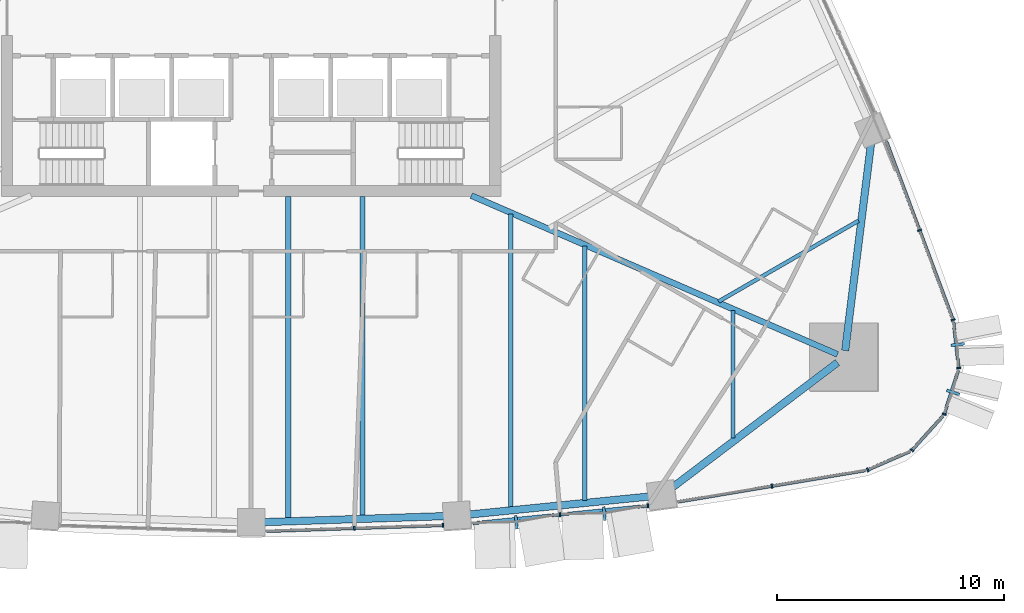
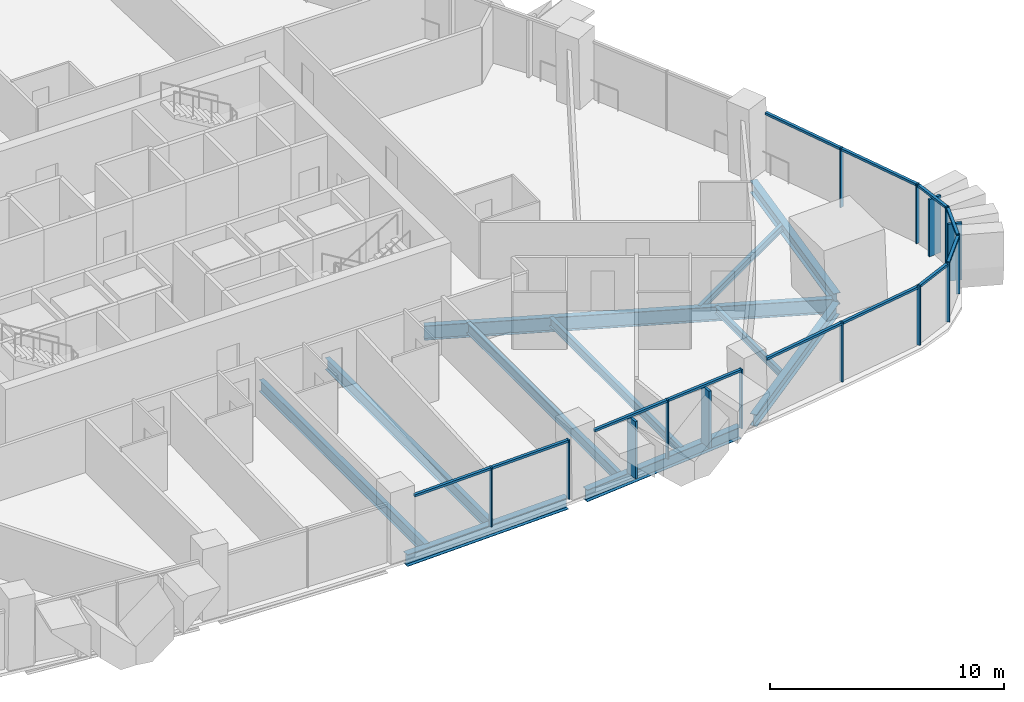
# One storey, part 4 of 18: 27 members, 11 beams, 8 elements without a shape of their own.
"""IFC4 building model written with IfcOpenShell, lengths in metres."""

from ifc_helpers import new_model, si_unit, direction, frame, origin, origin_2d, place, context, subcontext, project, spatial, rectangle, i_section, extrude, material, layer, layer_set, material_profile, profile_set, type_object, element, aggregate, save


model = new_model("IFC4")

# Units and contexts
model_context = context("Model", 3, precision=1e-05, world=origin(), true_north=direction((0.0, 1.0)))
body_context = subcontext(model_context, "Body", "Model", "MODEL_VIEW")
ifc_project = project(units=[si_unit("LENGTHUNIT", "METRE"), si_unit("AREAUNIT", "SQUARE_METRE"), si_unit("VOLUMEUNIT", "CUBIC_METRE"), si_unit("PLANEANGLEUNIT", "RADIAN"), si_unit("MASSUNIT", "GRAM", prefix="KILO")], contexts=[model_context])

# Site, building, storey
site_placement = place(None, origin())
site = spatial("IfcSite", under=ifc_project, at=site_placement, CompositionType="ELEMENT")
building_placement = place(site_placement, origin())
building = spatial("IfcBuilding", under=site, at=building_placement, Name="Sierra Prisma Convention Tower", CompositionType="ELEMENT")
storey_placement = place(building_placement, frame((0.0, 0.0, 85.0)))
storey = spatial("IfcBuildingStorey", under=building, at=storey_placement, Name="L17", CompositionType="ELEMENT", Elevation=85.0)

# Curtain wall, members
ifc_material_1 = material(Name="Aluminium and glass curtain wall", Category="aluminium")
ifc_layer_1 = layer(ifc_material_1, 0.179931640625)
ifc_layer_set_1 = layer_set([ifc_layer_1], Name="CW-2 Faceted crystal curtain wall")
curtain_wall_type_1 = type_object("IfcCurtainWallType", Name="CW-2 Faceted crystal curtain wall", PredefinedType="NOTDEFINED", material=ifc_layer_set_1)
curtain_wall_1_placement = place(storey_placement, origin())
curtain_wall_1 = element("IfcCurtainWall", 1, at=curtain_wall_1_placement, inside=storey, type_object=curtain_wall_type_1, Name="CW-2 S5 L17", PredefinedType="NOTDEFINED")
ifc_material_2 = material(Name="Aluminium 6063-T6 bronze anodised", Category="aluminium")
ifc_material_profile_1 = material_profile(ifc_material_2, rectangle(XDim=0.1201171875, YDim=0.60009765625, at=origin_2d()), Name="ALU RIDGE BLADE 120x600")
ifc_profile_set_1 = profile_set([ifc_material_profile_1], Name="Aluminium 6063-T6 bronze anodised")
member_type_1 = type_object("IfcMemberType", Name="CW hip bronze", PredefinedType="MULLION", material=ifc_profile_set_1)
member_1_placement = place(storey_placement, frame((11.673095703125, -22.338623046875, 0.0), z_axis=(0.0, 0.0, 1.0), x_axis=(0.995049429577, 0.09938124923, 0.0)))
member_1 = element("IfcMember", 2, at=member_1_placement, type_object=member_type_1, Name="CW-2 ridge S5.1", PredefinedType="MULLION", context=body_context, shape_type="SweptSolid", body=[
    extrude(rectangle(XDim=0.1201171875, YDim=0.60009765625, at=origin_2d()), origin(), (0.0, 0.0, 1.0), 2.97998046875),
])
member_2_placement = place(storey_placement, frame((15.5439453125, -21.951904296875, 0.0), z_axis=(0.0, 0.0, 1.0), x_axis=(0.995049429577, 0.09938124923, 0.0)))
member_2 = element("IfcMember", 3, at=member_2_placement, type_object=member_type_1, Name="CW-2 ridge S5.2", PredefinedType="MULLION", context=body_context, shape_type="SweptSolid", body=[
    extrude(rectangle(XDim=0.1201171875, YDim=0.60009765625, at=origin_2d()), origin(), (0.0, 0.0, 1.0), 2.97998046875),
])

# Curtain wall, member
curtain_wall_2_placement = place(storey_placement, origin())
curtain_wall_2 = element("IfcCurtainWall", 4, at=curtain_wall_2_placement, inside=storey, type_object=curtain_wall_type_1, Name="CW-2 SE3 L17", PredefinedType="NOTDEFINED")
member_3_placement = place(storey_placement, frame((30.897705078125, -16.61669921875, 0.0), z_axis=(0.0, 0.0, 1.0), x_axis=(0.306555493011, 0.951852787833, 0.0)))
member_3 = element("IfcMember", 5, at=member_3_placement, type_object=member_type_1, Name="CW-2 ridge SE3.1", PredefinedType="MULLION", context=body_context, shape_type="SweptSolid", body=[
    extrude(rectangle(XDim=0.1201171875, YDim=0.60009765625, at=origin_2d()), origin(), (0.0, 0.0, 1.0), 2.97998046875),
])

curtain_wall_3_placement = place(storey_placement, origin())
curtain_wall_3 = element("IfcCurtainWall", 6, at=curtain_wall_3_placement, inside=storey, type_object=curtain_wall_type_1, Name="CW-2 SE4 L17", PredefinedType="NOTDEFINED")
member_4_placement = place(storey_placement, frame((31.108154296875, -14.510498046875, 0.0), z_axis=(0.0, 0.0, 1.0), x_axis=(-0.112243994185, 0.993680675957, 0.0)))
member_4 = element("IfcMember", 7, at=member_4_placement, type_object=member_type_1, Name="CW-2 ridge SE4.1", PredefinedType="MULLION", context=body_context, shape_type="SweptSolid", body=[
    extrude(rectangle(XDim=0.1201171875, YDim=0.60009765625, at=origin_2d()), origin(), (0.0, 0.0, 1.0), 2.97998046875),
])

# Curtain wall, members
ifc_material_3 = material(Name="Aluminium and glass curtain wall", Category="aluminium")
ifc_layer_2 = layer(ifc_material_3, 0.179931640625)
ifc_layer_set_2 = layer_set([ifc_layer_2], Name="CW-1 Plain shaft curtain wall")
curtain_wall_type_2 = type_object("IfcCurtainWallType", Name="CW-1 Plain shaft curtain wall", PredefinedType="NOTDEFINED", material=ifc_layer_set_2)
curtain_wall_4_placement = place(storey_placement, origin())
curtain_wall_4 = element("IfcCurtainWall", 8, at=curtain_wall_4_placement, inside=storey, type_object=curtain_wall_type_2, Name="CW-1 S4 L17", PredefinedType="NOTDEFINED")
ifc_material_4 = material(Name="Aluminium 6063-T6 bronze anodised", Category="aluminium")
ifc_material_profile_2 = material_profile(ifc_material_4, rectangle(XDim=0.179931640625, YDim=0.070068359375, at=origin_2d()), Name="ALU MULLION 70x180")
ifc_profile_set_2 = profile_set([ifc_material_profile_2], Name="Aluminium 6063-T6 bronze anodised")
member_type_2 = type_object("IfcMemberType", Name="CW mullion bronze", PredefinedType="MULLION", material=ifc_profile_set_2)
member_5_placement = place(storey_placement, frame((4.538818359375, -22.596435546875, 0.0), z_axis=(0.0, 0.0, 1.0), x_axis=(-0.033175768817, 0.999449532675, 0.0)))
member_5 = element("IfcMember", 9, at=member_5_placement, type_object=member_type_2, Name="CW-1 mullion S4.2", PredefinedType="MULLION", context=body_context, shape_type="SweptSolid", body=[
    extrude(rectangle(XDim=0.179931640625, YDim=0.070068359375, at=origin_2d()), origin(), (0.0, 0.0, 1.0), 3.10009765625),
])
member_6_placement = place(storey_placement, frame((8.443115234375, -22.466796875, 0.0), z_axis=(0.0, 0.0, 1.0), x_axis=(-0.033175768817, 0.999449532675, 0.0)))
member_6 = element("IfcMember", 10, at=member_6_placement, type_object=member_type_2, Name="CW-1 mullion S4.3", PredefinedType="MULLION", context=body_context, shape_type="SweptSolid", body=[
    extrude(rectangle(XDim=0.179931640625, YDim=0.070068359375, at=origin_2d()), origin(), (0.0, 0.0, 1.0), 3.10009765625),
])

# Member
member_7_placement = place(storey_placement, frame((13.593505859375, -21.99560546875, 0.0), z_axis=(0.0, 0.0, 1.0), x_axis=(-0.09938124923, 0.995049429577, 0.0)))
member_7 = element("IfcMember", 11, at=member_7_placement, type_object=member_type_2, Name="CW-1 mullion S5.2", PredefinedType="MULLION", context=body_context, shape_type="SweptSolid", body=[
    extrude(rectangle(XDim=0.179931640625, YDim=0.070068359375, at=origin_2d()), origin(), (0.0, 0.0, 1.0), 3.10009765625),
])

member_8_placement = place(storey_placement, frame((17.464599609375, -21.609130859375, 0.0), z_axis=(0.0, 0.0, 1.0), x_axis=(-0.09938124923, 0.995049429577, 0.0)))
member_8 = element("IfcMember", 12, at=member_8_placement, type_object=member_type_2, Name="CW-1 mullion S5.3", PredefinedType="MULLION", context=body_context, shape_type="SweptSolid", body=[
    extrude(rectangle(XDim=0.179931640625, YDim=0.070068359375, at=origin_2d()), origin(), (0.0, 0.0, 1.0), 3.10009765625),
])

# Curtain wall, member
curtain_wall_5_placement = place(storey_placement, origin())
curtain_wall_5 = element("IfcCurtainWall", 13, at=curtain_wall_5_placement, inside=storey, type_object=curtain_wall_type_2, Name="CW-1 S6 L17", PredefinedType="NOTDEFINED")
member_9_placement = place(storey_placement, frame((22.9228515625, -20.74072265625, 0.0), z_axis=(0.0, 0.0, 1.0), x_axis=(-0.165149201073, 0.98626859495, 0.0)))
member_9 = element("IfcMember", 14, at=member_9_placement, type_object=member_type_2, Name="CW-1 mullion S6.2", PredefinedType="MULLION", context=body_context, shape_type="SweptSolid", body=[
    extrude(rectangle(XDim=0.179931640625, YDim=0.070068359375, at=origin_2d()), origin(), (0.0, 0.0, 1.0), 3.10009765625),
])

curtain_wall_6_placement = place(storey_placement, origin())
curtain_wall_6 = element("IfcCurtainWall", 15, at=curtain_wall_6_placement, inside=storey, type_object=curtain_wall_type_2, Name="CW-1 SE1 L17", PredefinedType="NOTDEFINED")
member_10_placement = place(storey_placement, frame((27.14453125, -20.025390625, 0.0), z_axis=(0.0, 0.0, 1.0), x_axis=(-0.399634187592, 0.91667470572, 0.0)))
member_10 = element("IfcMember", 16, at=member_10_placement, type_object=member_type_2, Name="CW-1 mullion SE1.1", PredefinedType="MULLION", context=body_context, shape_type="SweptSolid", body=[
    extrude(rectangle(XDim=0.179931640625, YDim=0.070068359375, at=origin_2d()), origin(), (0.0, 0.0, 1.0), 3.10009765625),
])

curtain_wall_7_placement = place(storey_placement, origin())
curtain_wall_7 = element("IfcCurtainWall", 17, at=curtain_wall_7_placement, inside=storey, type_object=curtain_wall_type_2, Name="CW-1 SE2 L17", PredefinedType="NOTDEFINED")
member_11_placement = place(storey_placement, frame((29.089599609375, -19.16162109375, 0.0), z_axis=(0.0, 0.0, 1.0), x_axis=(-0.741411238533, 0.671050948421, 0.0)))
member_11 = element("IfcMember", 18, at=member_11_placement, type_object=member_type_2, Name="CW-1 mullion SE2.1", PredefinedType="MULLION", context=body_context, shape_type="SweptSolid", body=[
    extrude(rectangle(XDim=0.179931640625, YDim=0.070068359375, at=origin_2d()), origin(), (0.0, 0.0, 1.0), 3.10009765625),
])

# Member
member_12_placement = place(storey_placement, frame((30.50732421875, -17.573974609375, 0.0), z_axis=(0.0, 0.0, 1.0), x_axis=(-0.951852787833, 0.306555493011, 0.0)))
member_12 = element("IfcMember", 19, at=member_12_placement, type_object=member_type_2, Name="CW-1 mullion SE3.1", PredefinedType="MULLION", context=body_context, shape_type="SweptSolid", body=[
    extrude(rectangle(XDim=0.179931640625, YDim=0.070068359375, at=origin_2d()), origin(), (0.0, 0.0, 1.0), 3.10009765625),
])

member_13_placement = place(storey_placement, frame((31.14599609375, -15.54345703125, 0.0), z_axis=(0.0, 0.0, 1.0), x_axis=(-0.993680675957, -0.112243994185, 0.0)))
member_13 = element("IfcMember", 20, at=member_13_placement, type_object=member_type_2, Name="CW-1 mullion SE4.1", PredefinedType="MULLION", context=body_context, shape_type="SweptSolid", body=[
    extrude(rectangle(XDim=0.179931640625, YDim=0.070068359375, at=origin_2d()), origin(), (0.0, 0.0, 1.0), 3.10009765625),
])

# Curtain wall, members
curtain_wall_8_placement = place(storey_placement, origin())
curtain_wall_8 = element("IfcCurtainWall", 21, at=curtain_wall_8_placement, inside=storey, type_object=curtain_wall_type_2, Name="CW-1 NE1 L17", PredefinedType="NOTDEFINED")
member_14_placement = place(storey_placement, frame((30.8984375, -13.427490234375, 0.0), z_axis=(0.0, 0.0, 1.0), x_axis=(-0.936708258718, -0.350110893931, 0.0)))
member_14 = element("IfcMember", 22, at=member_14_placement, type_object=member_type_2, Name="CW-1 mullion NE1.1", PredefinedType="MULLION", context=body_context, shape_type="SweptSolid", body=[
    extrude(rectangle(XDim=0.179931640625, YDim=0.070068359375, at=origin_2d()), origin(), (0.0, 0.0, 1.0), 3.10009765625),
])
member_15_placement = place(storey_placement, frame((29.42333984375, -9.481201171875, 0.0), z_axis=(0.0, 0.0, 1.0), x_axis=(-0.936708258718, -0.350110893931, 0.0)))
member_15 = element("IfcMember", 23, at=member_15_placement, type_object=member_type_2, Name="CW-1 mullion NE1.2", PredefinedType="MULLION", context=body_context, shape_type="SweptSolid", body=[
    extrude(rectangle(XDim=0.179931640625, YDim=0.070068359375, at=origin_2d()), origin(), (0.0, 0.0, 1.0), 3.10009765625),
])

# Member
ifc_material_5 = material(Name="Aluminium 6063-T6 bronze anodised", Category="aluminium")
ifc_material_profile_3 = material_profile(ifc_material_5, rectangle(XDim=0.139892578125, YDim=0.1201171875, at=origin_2d()), Name="ALU TRANSOM 120x140")
ifc_profile_set_3 = profile_set([ifc_material_profile_3], Name="Aluminium 6063-T6 bronze anodised")
member_type_3 = type_object("IfcMemberType", Name="CW transom bronze", PredefinedType="USERDEFINED", material=ifc_profile_set_3)
member_16_placement = place(storey_placement, frame((0.669677734375, -22.724853515625, 3.0400390625), z_axis=(0.999450191707, 0.033155908939, 0.0), x_axis=(-0.033155908939, 0.999450191707, 0.0)))
member_16 = element("IfcMember", 24, at=member_16_placement, type_object=member_type_3, Name="CW-1 transom S4.1", ObjectType="TRANSOM", PredefinedType="USERDEFINED", context=body_context, shape_type="SweptSolid", body=[
    extrude(rectangle(XDim=0.139892578125, YDim=0.1201171875, at=origin_2d()), origin(), (0.0, 0.0, 1.0), 3.83642578125),
])

member_17_placement = place(storey_placement, frame((4.573974609375, -22.59521484375, 3.0400390625), z_axis=(0.999450191707, 0.033155908939, 0.0), x_axis=(-0.033155908939, 0.999450191707, 0.0)))
member_17 = element("IfcMember", 25, at=member_17_placement, type_object=member_type_3, Name="CW-1 transom S4.2", ObjectType="TRANSOM", PredefinedType="USERDEFINED", context=body_context, shape_type="SweptSolid", body=[
    extrude(rectangle(XDim=0.139892578125, YDim=0.1201171875, at=origin_2d()), origin(), (0.0, 0.0, 1.0), 3.83642578125),
])

aggregate(curtain_wall_4, [member_5, member_6, member_16, member_17])

member_18_placement = place(storey_placement, frame((9.75732421875, -22.37890625, 3.0400390625), z_axis=(0.995044147582, 0.099434120714, 0.0), x_axis=(-0.099434120714, 0.995044147582, 0.0)))
member_18 = element("IfcMember", 26, at=member_18_placement, type_object=member_type_3, Name="CW-1 transom S5.1", ObjectType="TRANSOM", PredefinedType="USERDEFINED", context=body_context, shape_type="SweptSolid", body=[
    extrude(rectangle(XDim=0.139892578125, YDim=0.1201171875, at=origin_2d()), origin(), (0.0, 0.0, 1.0), 3.820556640625),
])

member_19_placement = place(storey_placement, frame((13.62841796875, -21.9921875, 3.0400390625), z_axis=(0.995049837241, 0.099377167432, 0.0), x_axis=(-0.099377167432, 0.995049837241, 0.0)))
member_19 = element("IfcMember", 27, at=member_19_placement, type_object=member_type_3, Name="CW-1 transom S5.2", ObjectType="TRANSOM", PredefinedType="USERDEFINED", context=body_context, shape_type="SweptSolid", body=[
    extrude(rectangle(XDim=0.139892578125, YDim=0.1201171875, at=origin_2d()), origin(), (0.0, 0.0, 1.0), 3.820068359375),
])

aggregate(curtain_wall_1, [member_7, member_8, member_18, member_1, member_19, member_2])

member_20_placement = place(storey_placement, frame((18.80224609375, -21.430908203125, 3.0400390625), z_axis=(0.986263009552, 0.165182553524, 0.0), x_axis=(-0.165182553524, 0.986263009552, 0.0)))
member_20 = element("IfcMember", 28, at=member_20_placement, type_object=member_type_3, Name="CW-1 transom S6.1", ObjectType="TRANSOM", PredefinedType="USERDEFINED", context=body_context, shape_type="SweptSolid", body=[
    extrude(rectangle(XDim=0.139892578125, YDim=0.1201171875, at=origin_2d()), origin(), (0.0, 0.0, 1.0), 4.142822265625),
])

member_21_placement = place(storey_placement, frame((22.957275390625, -20.735107421875, 3.0400390625), z_axis=(0.986263009552, 0.165182553524, 0.0), x_axis=(-0.165182553524, 0.986263009552, 0.0)))
member_21 = element("IfcMember", 29, at=member_21_placement, type_object=member_type_3, Name="CW-1 transom S6.2", ObjectType="TRANSOM", PredefinedType="USERDEFINED", context=body_context, shape_type="SweptSolid", body=[
    extrude(rectangle(XDim=0.139892578125, YDim=0.1201171875, at=origin_2d()), origin(), (0.0, 0.0, 1.0), 4.142822265625),
])

aggregate(curtain_wall_5, [member_9, member_20, member_21])

member_22_placement = place(storey_placement, frame((27.176513671875, -20.01123046875, 3.0400390625), z_axis=(0.916660265584, 0.39966730852, 0.0), x_axis=(-0.39966730852, 0.916660265584, 0.0)))
member_22 = element("IfcMember", 30, at=member_22_placement, type_object=member_type_3, Name="CW-1 transom SE1.1", ObjectType="TRANSOM", PredefinedType="USERDEFINED", context=body_context, shape_type="SweptSolid", body=[
    extrude(rectangle(XDim=0.139892578125, YDim=0.1201171875, at=origin_2d()), origin(), (0.0, 0.0, 1.0), 1.991455078125),
])

aggregate(curtain_wall_6, [member_10, member_22])

member_23_placement = place(storey_placement, frame((29.11328125, -19.135498046875, 3.0400390625), z_axis=(0.671041732824, 0.741419579461, 0.0), x_axis=(-0.741419579461, 0.671041732824, 0.0)))
member_23 = element("IfcMember", 31, at=member_23_placement, type_object=member_type_3, Name="CW-1 transom SE2.1", ObjectType="TRANSOM", PredefinedType="USERDEFINED", context=body_context, shape_type="SweptSolid", body=[
    extrude(rectangle(XDim=0.139892578125, YDim=0.1201171875, at=origin_2d()), origin(), (0.0, 0.0, 1.0), 1.9912109375),
])

aggregate(curtain_wall_7, [member_11, member_23])

member_24_placement = place(storey_placement, frame((30.51806640625, -17.54052734375, 3.0400390625), z_axis=(0.306501242337, 0.9518702582, 0.0), x_axis=(-0.9518702582, 0.306501242337, 0.0)))
member_24 = element("IfcMember", 32, at=member_24_placement, type_object=member_type_3, Name="CW-1 transom SE3.1", ObjectType="TRANSOM", PredefinedType="USERDEFINED", context=body_context, shape_type="SweptSolid", body=[
    extrude(rectangle(XDim=0.139892578125, YDim=0.1201171875, at=origin_2d()), origin(), (0.0, 0.0, 1.0), 1.991455078125),
])

aggregate(curtain_wall_2, [member_12, member_24, member_3])

member_25_placement = place(storey_placement, frame((31.14208984375, -15.5087890625, 3.0400390625), z_axis=(-0.112288050797, 0.993675698429, 0.0), x_axis=(-0.993675698429, -0.112288050797, 0.0)))
member_25 = element("IfcMember", 33, at=member_25_placement, type_object=member_type_3, Name="CW-1 transom SE4.1", ObjectType="TRANSOM", PredefinedType="USERDEFINED", context=body_context, shape_type="SweptSolid", body=[
    extrude(rectangle(XDim=0.139892578125, YDim=0.1201171875, at=origin_2d()), origin(), (0.0, 0.0, 1.0), 1.99169921875),
])

aggregate(curtain_wall_3, [member_13, member_25, member_4])

member_26_placement = place(storey_placement, frame((30.88623046875, -13.394775390625, 3.0400390625), z_axis=(-0.350109298948, 0.936708854869, 0.0), x_axis=(-0.936708854869, -0.350109298948, 0.0)))
member_26 = element("IfcMember", 34, at=member_26_placement, type_object=member_type_3, Name="CW-1 transom NE1.1", ObjectType="TRANSOM", PredefinedType="USERDEFINED", context=body_context, shape_type="SweptSolid", body=[
    extrude(rectangle(XDim=0.139892578125, YDim=0.1201171875, at=origin_2d()), origin(), (0.0, 0.0, 1.0), 4.142822265625),
])

member_27_placement = place(storey_placement, frame((29.4111328125, -9.448486328125, 3.0400390625), z_axis=(-0.350109298948, 0.936708854869, 0.0), x_axis=(-0.936708854869, -0.350109298948, 0.0)))
member_27 = element("IfcMember", 35, at=member_27_placement, type_object=member_type_3, Name="CW-1 transom NE1.2", ObjectType="TRANSOM", PredefinedType="USERDEFINED", context=body_context, shape_type="SweptSolid", body=[
    extrude(rectangle(XDim=0.139892578125, YDim=0.1201171875, at=origin_2d()), origin(), (0.0, 0.0, 1.0), 4.142822265625),
])

aggregate(curtain_wall_8, [member_14, member_15, member_26, member_27])

# Beams
ifc_material_6 = material(Name="Steel ASTM A992 Gr 50", Category="steel")
ifc_material_profile_4 = material_profile(ifc_material_6, i_section(OverallWidth=0.172119140625, OverallDepth=0.35791015625, WebThickness=0.0078125, FlangeThickness=0.01318359375, at=origin_2d()), Name="W360x57")
ifc_profile_set_4 = profile_set([ifc_material_profile_4], Name="Steel ASTM A992 Gr 50")
beam_type_1 = type_object("IfcBeamType", Name="Floor joist W360x57", PredefinedType="JOIST", material=ifc_profile_set_4)
beam_1_placement = place(storey_placement, frame((21.21484375, -18.62548828125, -0.3291015625), z_axis=(0.0, 1.0, 0.0), x_axis=(-1.0, 0.0, 0.0)))
element("IfcBeam", 36, at=beam_1_placement, inside=storey, type_object=beam_type_1, Name="Floor joist L17 S15", PredefinedType="JOIST", context=body_context, shape_type="SweptSolid", body=[
    extrude(i_section(OverallWidth=0.172119140625, OverallDepth=0.35791015625, WebThickness=0.0078125, FlangeThickness=0.01318359375, at=origin_2d()), origin(), (0.0, 0.0, 1.0), 5.6162109375),
])
beam_2_placement = place(storey_placement, frame((26.73779296875, -9.059814453125, -0.3291015625), z_axis=(-0.866016993445, -0.500014566852, 0.0), x_axis=(0.500014566852, -0.866016993445, 0.0)))
element("IfcBeam", 37, at=beam_2_placement, inside=storey, type_object=beam_type_1, Name="Floor joist L17 NE02", PredefinedType="JOIST", context=body_context, shape_type="SweptSolid", body=[
    extrude(i_section(OverallWidth=0.172119140625, OverallDepth=0.35791015625, WebThickness=0.0078125, FlangeThickness=0.01318359375, at=origin_2d()), origin(), (0.0, 0.0, 1.0), 7.114013671875),
])
ifc_material_7 = material(Name="Steel ASTM A992 Gr 50", Category="steel")
ifc_material_profile_5 = material_profile(ifc_material_7, i_section(OverallWidth=0.18994140625, OverallDepth=0.45703125, WebThickness=0.009033203125, FlangeThickness=0.014404296875, at=origin_2d()), Name="W460x74")
ifc_profile_set_5 = profile_set([ifc_material_profile_5], Name="Steel ASTM A992 Gr 50")
beam_type_2 = type_object("IfcBeamType", Name="Floor joist W460x74", PredefinedType="JOIST", material=ifc_profile_set_5)
beam_3_placement = place(storey_placement, frame((14.687255859375, -21.371337890625, -0.37841796875), z_axis=(0.0, 1.0, 0.0), x_axis=(-1.0, 0.0, 0.0)))
element("IfcBeam", 38, at=beam_3_placement, inside=storey, type_object=beam_type_2, Name="Floor joist L17 S13", PredefinedType="JOIST", context=body_context, shape_type="SweptSolid", body=[
    extrude(i_section(OverallWidth=0.18994140625, OverallDepth=0.45703125, WebThickness=0.009033203125, FlangeThickness=0.014404296875, at=origin_2d()), origin(), (0.0, 0.0, 1.0), 11.193603515625),
])
ifc_material_8 = material(Name="Steel ASTM A992 Gr 50", Category="steel")
ifc_material_profile_6 = material_profile(ifc_material_8, i_section(OverallWidth=0.208984375, OverallDepth=0.532958984375, WebThickness=0.01025390625, FlangeThickness=0.015625, at=origin_2d()), Name="W530x92")
ifc_profile_set_6 = profile_set([ifc_material_profile_6], Name="Steel ASTM A992 Gr 50")
beam_type_3 = type_object("IfcBeamType", Name="Floor joist W530x92", PredefinedType="JOIST", material=ifc_profile_set_6)
beam_4_placement = place(storey_placement, frame((11.42333984375, -21.697265625, -0.41650390625), z_axis=(0.0, 1.0, 0.0), x_axis=(-1.0, 0.0, 0.0)))
element("IfcBeam", 39, at=beam_4_placement, inside=storey, type_object=beam_type_3, Name="Floor joist L17 S12", PredefinedType="JOIST", context=body_context, shape_type="SweptSolid", body=[
    extrude(i_section(OverallWidth=0.208984375, OverallDepth=0.532958984375, WebThickness=0.01025390625, FlangeThickness=0.015625, at=origin_2d()), origin(), (0.0, 0.0, 1.0), 12.935302734375),
])
ifc_material_9 = material(Name="Steel ASTM A992 Gr 50", Category="steel")
ifc_material_profile_7 = material_profile(ifc_material_9, i_section(OverallWidth=0.22802734375, OverallDepth=0.60302734375, WebThickness=0.010498046875, FlangeThickness=0.014892578125, at=origin_2d()), Name="W610x101")
ifc_profile_set_7 = profile_set([ifc_material_profile_7], Name="Steel ASTM A992 Gr 50")
beam_type_4 = type_object("IfcBeamType", Name="Floor joist W610x101", PredefinedType="JOIST", material=ifc_profile_set_7)
beam_5_placement = place(storey_placement, frame((1.6318359375, -22.180419921875, -0.451416015625), z_axis=(0.0, 1.0, 0.0), x_axis=(-1.0, 0.0, 0.0)))
element("IfcBeam", 40, at=beam_5_placement, inside=storey, type_object=beam_type_4, Name="Floor joist L17 S09", PredefinedType="JOIST", context=body_context, shape_type="SweptSolid", body=[
    extrude(i_section(OverallWidth=0.22802734375, OverallDepth=0.60302734375, WebThickness=0.010498046875, FlangeThickness=0.014892578125, at=origin_2d()), origin(), (0.0, 0.0, 1.0), 14.180419921875),
])
beam_6_placement = place(storey_placement, frame((4.895751953125, -22.072021484375, -0.451416015625), z_axis=(0.0, 1.0, 0.0), x_axis=(-1.0, 0.0, 0.0)))
element("IfcBeam", 41, at=beam_6_placement, inside=storey, type_object=beam_type_4, Name="Floor joist L17 S10", PredefinedType="JOIST", context=body_context, shape_type="SweptSolid", body=[
    extrude(i_section(OverallWidth=0.22802734375, OverallDepth=0.60302734375, WebThickness=0.010498046875, FlangeThickness=0.014892578125, at=origin_2d()), origin(), (0.0, 0.0, 1.0), 14.072021484375),
])
ifc_material_10 = material(Name="Steel ASTM A992 Gr 50", Category="steel")
ifc_material_profile_8 = material_profile(ifc_material_10, i_section(OverallWidth=0.264892578125, OverallDepth=0.7529296875, WebThickness=0.01318359375, FlangeThickness=0.01708984375, at=origin_2d()), Name="W760x147")
ifc_profile_set_8 = profile_set([ifc_material_profile_8], Name="Steel ASTM A992 Gr 50")
beam_type_5 = type_object("IfcBeamType", Name="Radial girder W760x147", PredefinedType="BEAM", material=ifc_profile_set_8)
beam_7_placement = place(storey_placement, frame((25.810791015625, -14.94482421875, -0.526611328125), z_axis=(-0.917410766511, 0.397941560395, 0.0), x_axis=(-0.397941560395, -0.917410766511, 0.0)))
element("IfcBeam", 42, at=beam_7_placement, inside=storey, type_object=beam_type_5, Name="Radial girder L17 SE", PredefinedType="BEAM", context=body_context, shape_type="SweptSolid", body=[
    extrude(i_section(OverallWidth=0.264892578125, OverallDepth=0.7529296875, WebThickness=0.01318359375, FlangeThickness=0.01708984375, at=origin_2d()), origin(), (0.0, 0.0, 1.0), 17.572021484375),
])
ifc_material_11 = material(Name="Steel ASTM A992 Gr 50", Category="steel")
ifc_material_profile_9 = material_profile(ifc_material_11, i_section(OverallWidth=0.324951171875, OverallDepth=0.615966796875, WebThickness=0.013916015625, FlangeThickness=0.021484375, at=origin_2d()), Name="W610x174")
ifc_profile_set_9 = profile_set([ifc_material_profile_9], Name="Steel ASTM A992 Gr 50")
beam_type_6 = type_object("IfcBeamType", Name="Spandrel beam W610x174", PredefinedType="BEAM", material=ifc_profile_set_9)
beam_8_placement = place(storey_placement, frame((0.47998046875, -22.3310546875, -0.4580078125), z_axis=(0.999450407049, 0.033149417025, 0.0), x_axis=(-0.033149417025, 0.999450407049, 0.0)))
element("IfcBeam", 43, at=beam_8_placement, inside=storey, type_object=beam_type_6, Name="Spandrel L17-04", PredefinedType="BEAM", context=body_context, shape_type="SweptSolid", body=[
    extrude(i_section(OverallWidth=0.324951171875, OverallDepth=0.615966796875, WebThickness=0.013916015625, FlangeThickness=0.021484375, at=origin_2d()), origin(), (0.0, 0.0, 1.0), 8.108642578125),
])
beam_9_placement = place(storey_placement, frame((9.542236328125, -21.99853515625, -0.4580078125), z_axis=(0.995048511972, 0.099390436275, 0.0), x_axis=(-0.099390436275, 0.995048511972, 0.0)))
element("IfcBeam", 44, at=beam_9_placement, inside=storey, type_object=beam_type_6, Name="Spandrel L17-05", PredefinedType="BEAM", context=body_context, shape_type="SweptSolid", body=[
    extrude(i_section(OverallWidth=0.324951171875, OverallDepth=0.615966796875, WebThickness=0.013916015625, FlangeThickness=0.021484375, at=origin_2d()), origin(), (0.0, 0.0, 1.0), 8.1083984375),
])
beam_10_placement = place(storey_placement, frame((18.54248046875, -20.801513671875, -0.4580078125), z_axis=(0.797450276439, 0.603384667195, 0.0), x_axis=(-0.603384667195, 0.797450276439, 0.0)))
element("IfcBeam", 45, at=beam_10_placement, inside=storey, type_object=beam_type_6, Name="Spandrel L17-06", PredefinedType="BEAM", context=body_context, shape_type="SweptSolid", body=[
    extrude(i_section(OverallWidth=0.324951171875, OverallDepth=0.615966796875, WebThickness=0.013916015625, FlangeThickness=0.021484375, at=origin_2d()), origin(), (0.0, 0.0, 1.0), 9.114501953125),
])
beam_11_placement = place(storey_placement, frame((26.148193359375, -14.775146484375, -0.4580078125), z_axis=(0.123822161509, 0.992304425224, 0.0), x_axis=(-0.992304425224, 0.123822161509, 0.0)))
element("IfcBeam", 46, at=beam_11_placement, inside=storey, type_object=beam_type_6, Name="Spandrel L17-07", PredefinedType="BEAM", context=body_context, shape_type="SweptSolid", body=[
    extrude(i_section(OverallWidth=0.324951171875, OverallDepth=0.615966796875, WebThickness=0.013916015625, FlangeThickness=0.021484375, at=origin_2d()), origin(), (0.0, 0.0, 1.0), 9.188232421875),
])

save(model, "model.ifc")
